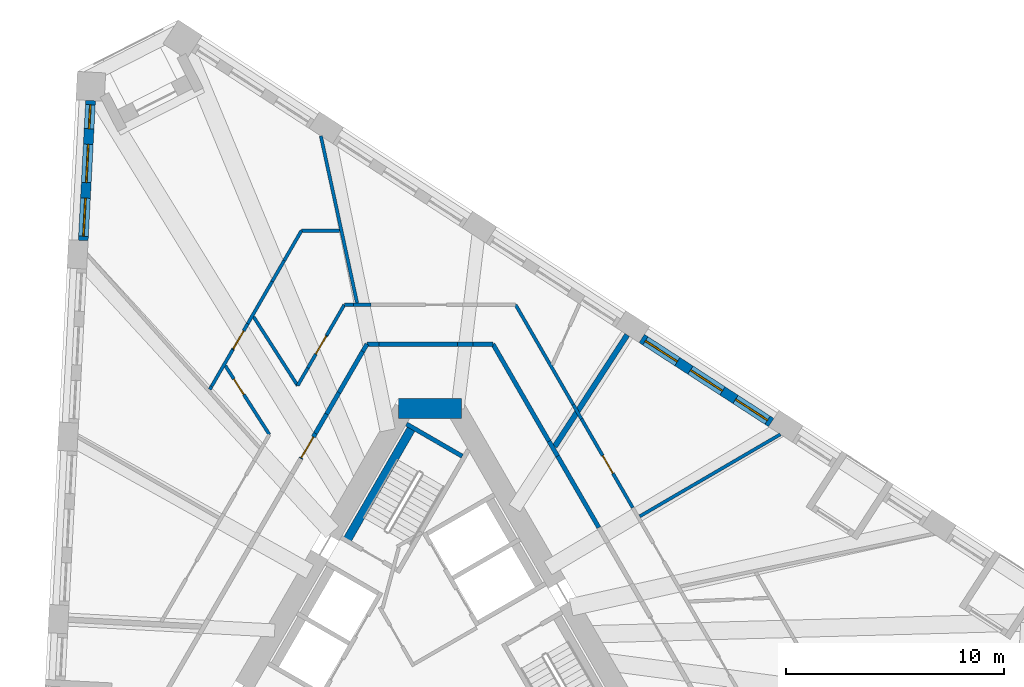
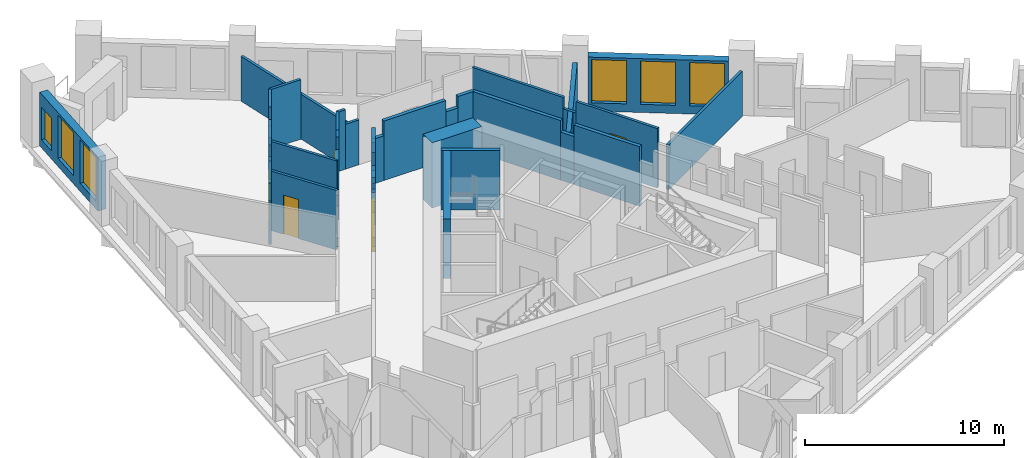
# One storey, part 7 of 12: 37 walls, 6 windows, 5 doors, 11 openings.
"""IFC4 building model written with IfcOpenShell, lengths in metres."""

from ifc_helpers import new_model, si_unit, direction, frame, frame_2d, origin, place, context, subcontext, project, spatial, polyline, rectangle, outline, extrude, material, layer, layer_set, type_object, element, fill, save


model = new_model("IFC4")

# Units and contexts
model_context = context("Model", 3, precision=1e-05, world=origin(), true_north=direction((0.0, 1.0)))
body_context = subcontext(model_context, "Body", "Model", "MODEL_VIEW")
ifc_project = project(units=[si_unit("LENGTHUNIT", "METRE"), si_unit("AREAUNIT", "SQUARE_METRE"), si_unit("VOLUMEUNIT", "CUBIC_METRE"), si_unit("PLANEANGLEUNIT", "RADIAN"), si_unit("MASSUNIT", "GRAM", prefix="KILO")], contexts=[model_context])

# Site, building, storey
site_placement = place(None, origin())
site = spatial("IfcSite", under=ifc_project, at=site_placement, CompositionType="ELEMENT")
building_placement = place(site_placement, origin())
building = spatial("IfcBuilding", under=site, at=building_placement, Name="Tramontana Tower", CompositionType="ELEMENT")
storey_placement = place(building_placement, frame((0.0, 0.0, 133.60009765625)))
storey = spatial("IfcBuildingStorey", under=building, at=storey_placement, Name="L30", CompositionType="ELEMENT", Elevation=133.60009765625)

# Walls
ifc_material_1 = material(Name="Concrete 70 MPa", Category="concrete")
ifc_layer_1 = layer(ifc_material_1, 0.89990234375)
ifc_layer_set_1 = layer_set([ifc_layer_1], Name="Core wall 900 70 MPa")
wall_type_1 = type_object("IfcWallType", Name="Core wall 900 70 MPa", PredefinedType="SHEAR", material=ifc_layer_set_1)
wall_1_placement = place(storey_placement, frame((1.443359375, 10.550048828125, 0.0), z_axis=(0.0, 0.0, 1.0), x_axis=(-1.0, 0.0, 0.0)))
element("IfcWall", 1, at=wall_1_placement, inside=storey, type_object=wall_type_1, Name="Core wall C0 L30", PredefinedType="SHEAR", context=body_context, shape_type="SweptSolid", body=[
    extrude(rectangle(XDim=2.88671875, YDim=0.89990234375, at=frame_2d((1.443359375, 0.0))), origin(), (0.0, 0.0, 1.0), 4.0),
])
ifc_material_2 = material(Name="Blockwork", Category="masonry")
ifc_layer_2 = layer(ifc_material_2, 0.199951171875)
ifc_layer_set_2 = layer_set([ifc_layer_2], Name="ENTRY WALL 200")
wall_type_2 = type_object("IfcWallType", Name="ENTRY WALL 200", PredefinedType="SOLIDWALL", material=ifc_layer_set_2)
wall_2_placement = place(storey_placement, frame((2.88671875, 13.5, 0.0), z_axis=(0.0, 0.0, 1.0), x_axis=(0.50000466804, -0.866022708674, 0.0)))
element("IfcWall", 2, at=wall_2_placement, inside=storey, type_object=wall_type_2, Name="Wall v30-ew0-0", PredefinedType="SOLIDWALL", context=body_context, shape_type="SweptSolid", body=[
    extrude(rectangle(XDim=5.14208984375, YDim=0.199951171875, at=frame_2d((2.571044921875, 0.0))), origin(), (0.0, 0.0, 1.0), 3.64990234375),
])
wall_3_placement = place(storey_placement, frame((5.457763671875, 9.046875, 0.0), z_axis=(0.0, 0.0, 1.0), x_axis=(0.499982474044, -0.866035522163, 0.0)))
element("IfcWall", 3, at=wall_3_placement, inside=storey, type_object=wall_type_2, Name="Wall v30-ew0-1", PredefinedType="SOLIDWALL", context=body_context, shape_type="SweptSolid", body=[
    extrude(rectangle(XDim=0.78564453125, YDim=0.199951171875, at=frame_2d((0.392822265625, 0.0))), origin(), (0.0, 0.0, 1.0), 2.949951171875),
])
wall_4_placement = place(storey_placement, frame((5.8505859375, 8.366455078125, 0.0), z_axis=(0.0, 0.0, 1.0), x_axis=(0.499998034377, -0.866026538634, 0.0)))
element("IfcWall", 4, at=wall_4_placement, inside=storey, type_object=wall_type_2, Name="Wall v30-ew0-2", PredefinedType="SOLIDWALL", context=body_context, shape_type="SweptSolid", body=[
    extrude(rectangle(XDim=3.783203125, YDim=0.199951171875, at=frame_2d((1.8916015625, 0.0))), origin(), (0.0, 0.0, 1.0), 3.64990234375),
])

# Wall, opening, door
wall_5_placement = place(storey_placement, frame((-5.91796875, 8.249755859375, 0.0), z_axis=(0.0, 0.0, 1.0), x_axis=(0.500028081597, 0.86600919026, 0.0)))
wall_5 = element("IfcWall", 5, at=wall_5_placement, inside=storey, type_object=wall_type_2, Name="Wall v30-ew4-7", PredefinedType="SOLIDWALL", context=body_context, shape_type="SweptSolid", body=[
    extrude(outline(polyline([(0.0, 0.0), (1.3369140625, 0.0), (1.336669921875, 2.5498046875), (0.313232421875, 2.5498046875), (0.313232421875, 3.64990234375), (0.0, 3.64990234375), (0.0, 0.0)])), frame((0.0, 0.10009765625, 0.0), z_axis=(0.0, -1.0, 0.0), x_axis=(1.0, 0.0, 0.0)), (0.0, 0.0, 1.0), 0.199951171875),
])
opening_1_placement = place(wall_5_placement, frame((0.050048828125, 0.0, 0.0)))
opening_1 = element("IfcOpeningElement", 6, at=opening_1_placement, cuts=wall_5, Name="Opening B3A-22", PredefinedType="OPENING", context=body_context, shape_type="SweptSolid", body=[
    extrude(rectangle(XDim=1.10009765625, YDim=2.39990234375, at=frame_2d((0.550048828125, 1.199951171875))), frame((0.0, 0.10986328125, 0.0), z_axis=(0.0, -1.0, 0.0), x_axis=(1.0, 0.0, 0.0)), (0.0, 0.0, 1.0), 0.219970703125),
])
ifc_material_3 = material(Name="Painted timber", Category="wood")
door_type_1 = type_object("IfcDoorType", Name="DOOR ENTRY 1100", OperationType="SINGLE_SWING_LEFT", PredefinedType="DOOR", material=ifc_material_3)
door_1_placement = place(opening_1_placement, origin())
door_1 = element("IfcDoor", 7, at=door_1_placement, inside=storey, type_object=door_type_1, Name="Door B3A-22", OperationType="SINGLE_SWING_RIGHT", OverallHeight=2.39990234375, OverallWidth=1.10009765625, PredefinedType="DOOR", context=body_context, shape_type="SweptSolid", body=[
    extrude(rectangle(XDim=1.10009765625, YDim=2.39990234375, at=frame_2d((0.550048828125, 1.199951171875))), frame((0.0, 0.02490234375, 0.0), z_axis=(0.0, -1.0, 0.0), x_axis=(1.0, 0.0, 0.0)), (0.0, 0.0, 1.0), 0.050048828125),
])
fill(opening_1, door_1)

# Walls
wall_6_placement = place(storey_placement, frame((-5.24951171875, 9.407470703125, 0.0), z_axis=(0.0, 0.0, 1.0), x_axis=(0.499991148707, 0.866030514021, 0.0)))
element("IfcWall", 8, at=wall_6_placement, inside=storey, type_object=wall_type_2, Name="Wall v30-ew4-8", PredefinedType="SOLIDWALL", context=body_context, shape_type="SweptSolid", body=[
    extrude(rectangle(XDim=1.0224609375, YDim=0.199951171875, at=frame_2d((0.51123046875, 0.0))), origin(), (0.0, 0.0, 1.0), 3.64990234375),
])
wall_7_placement = place(storey_placement, frame((-4.73828125, 10.29296875, 0.0), z_axis=(0.0, 0.0, 1.0), x_axis=(0.500001688065, 0.866024429177, 0.0)))
element("IfcWall", 9, at=wall_7_placement, inside=storey, type_object=wall_type_2, Name="Wall v30-ew4-9", PredefinedType="SOLIDWALL", context=body_context, shape_type="SweptSolid", body=[
    extrude(rectangle(XDim=1.13525390625, YDim=0.199951171875, at=frame_2d((0.567626953125, 0.0))), origin(), (0.0, 0.0, 1.0), 2.5498046875),
])
wall_8_placement = place(storey_placement, frame((-4.170654296875, 11.276123046875, 0.0), z_axis=(0.0, 0.0, 1.0), x_axis=(0.50001992892, 0.866013897511, 0.0)))
element("IfcWall", 10, at=wall_8_placement, inside=storey, type_object=wall_type_2, Name="Wall v30-ew4-10", PredefinedType="SOLIDWALL", context=body_context, shape_type="SweptSolid", body=[
    extrude(rectangle(XDim=2.1787109375, YDim=0.199951171875, at=frame_2d((1.08935546875, 0.0))), origin(), (0.0, 0.0, 1.0), 3.64990234375),
])
wall_9_placement = place(storey_placement, frame((-3.081298828125, 13.162841796875, 0.0), z_axis=(0.0, 0.0, 1.0), x_axis=(0.499849133735, 0.866112488944, 0.0)))
element("IfcWall", 11, at=wall_9_placement, inside=storey, type_object=wall_type_2, Name="Wall v30-ew4-11", PredefinedType="SOLIDWALL", context=body_context, shape_type="SweptSolid", body=[
    extrude(rectangle(XDim=0.38916015625, YDim=0.199951171875, at=frame_2d((0.194580078125, 0.0))), origin(), (0.0, 0.0, 1.0), 2.75),
])
wall_10_placement = place(storey_placement, frame((-2.88671875, 13.5, 0.0), z_axis=(0.0, 0.0, 1.0), x_axis=(1.0, 0.0, 0.0)))
element("IfcWall", 12, at=wall_10_placement, inside=storey, type_object=wall_type_2, Name="Wall v30-ew5-0", PredefinedType="SOLIDWALL", context=body_context, shape_type="SweptSolid", body=[
    extrude(rectangle(XDim=0.55322265625, YDim=0.199951171875, at=frame_2d((0.276611328125, 0.0))), origin(), (0.0, 0.0, 1.0), 2.75),
])
wall_11_placement = place(storey_placement, frame((-2.33349609375, 13.5, 0.0), z_axis=(0.0, 0.0, 1.0), x_axis=(1.0, 0.0, 0.0)))
element("IfcWall", 13, at=wall_11_placement, inside=storey, type_object=wall_type_2, Name="Wall v30-ew5-1", PredefinedType="SOLIDWALL", context=body_context, shape_type="SweptSolid", body=[
    extrude(rectangle(XDim=3.6025390625, YDim=0.199951171875, at=frame_2d((1.80126953125, 0.0))), origin(), (0.0, 0.0, 1.0), 3.64990234375),
])
wall_12_placement = place(storey_placement, frame((1.26904296875, 13.5, 0.0), z_axis=(0.0, 0.0, 1.0), x_axis=(1.0, 0.0, 0.0)))
element("IfcWall", 14, at=wall_12_placement, inside=storey, type_object=wall_type_2, Name="Wall v30-ew5-2", PredefinedType="SOLIDWALL", context=body_context, shape_type="SweptSolid", body=[
    extrude(rectangle(XDim=0.704833984375, YDim=0.199951171875, at=frame_2d((0.3525390625, 0.0))), origin(), (0.0, 0.0, 1.0), 2.949951171875),
])
wall_13_placement = place(storey_placement, frame((1.973876953125, 13.5, 0.0), z_axis=(0.0, 0.0, 1.0), x_axis=(1.0, 0.0, 0.0)))
element("IfcWall", 15, at=wall_13_placement, inside=storey, type_object=wall_type_2, Name="Wall v30-ew5-3", PredefinedType="SOLIDWALL", context=body_context, shape_type="SweptSolid", body=[
    extrude(rectangle(XDim=0.912841796875, YDim=0.199951171875, at=frame_2d((0.45654296875, 0.0))), origin(), (0.0, 0.0, 1.0), 3.64990234375),
])

# Wall, openings, windows
ifc_material_4 = material(Name="Precast concrete 60 MPa", Category="concrete")
ifc_layer_3 = layer(ifc_material_4, 0.449951171875)
ifc_layer_set_3 = layer_set([ifc_layer_3], Name="Precast concrete 60 MPa, 450 mm")
wall_type_3 = type_object("IfcWallType", Name="EW1 Stone-faced precast wall 450", PredefinedType="SOLIDWALL", material=ifc_layer_set_3)
wall_14_placement = place(storey_placement, frame((-15.5556640625, 24.66259765625, 0.0), z_axis=(0.0, 0.0, 1.0), x_axis=(-0.052313391961, -0.998630717043, 0.0)))
wall_14 = element("IfcWall", 16, at=wall_14_placement, inside=storey, type_object=wall_type_3, Name="External wall L30 face 0 bay 1", PredefinedType="SOLIDWALL", context=body_context, shape_type="SweptSolid", body=[
    extrude(rectangle(XDim=6.421630859375, YDim=0.449951171875, at=frame_2d((3.2109375, 0.0))), origin(), (0.0, 0.0, 1.0), 3.2998046875),
])
opening_2_placement = place(wall_14_placement, frame((0.1953125, 0.0, 0.5)))
opening_2 = element("IfcOpeningElement", 17, at=opening_2_placement, cuts=wall_14, Name="Opening N2L", PredefinedType="OPENING", context=body_context, shape_type="SweptSolid", body=[
    extrude(rectangle(XDim=1.10009765625, YDim=2.0, at=frame_2d((0.550048828125, 1.0))), frame((0.0, 0.23486328125, 0.0), z_axis=(0.0, -1.0, 0.0), x_axis=(1.0, 0.0, 0.0)), (0.0, 0.0, 1.0), 0.469970703125),
])
opening_3_placement = place(wall_14_placement, frame((2.0107421875, 0.0, 0.5)))
opening_3 = element("IfcOpeningElement", 18, at=opening_3_placement, cuts=wall_14, Name="Opening M2", PredefinedType="OPENING", context=body_context, shape_type="SweptSolid", body=[
    extrude(rectangle(XDim=1.75, YDim=2.64990234375, at=frame_2d((0.875, 1.324951171875))), frame((0.0, 0.23486328125, 0.0), z_axis=(0.0, -1.0, 0.0), x_axis=(1.0, 0.0, 0.0)), (0.0, 0.0, 1.0), 0.469970703125),
])
opening_4_placement = place(wall_14_placement, frame((4.476318359375, 0.0, 0.5)))
opening_4 = element("IfcOpeningElement", 19, at=opening_4_placement, cuts=wall_14, Name="Opening M2", PredefinedType="OPENING", context=body_context, shape_type="SweptSolid", body=[
    extrude(rectangle(XDim=1.75, YDim=2.64990234375, at=frame_2d((0.875, 1.324951171875))), frame((0.0, 0.23486328125, 0.0), z_axis=(0.0, -1.0, 0.0), x_axis=(1.0, 0.0, 0.0)), (0.0, 0.0, 1.0), 0.469970703125),
])
ifc_material_5 = material(Name="Aluminum frame, double glazing unit", Category="aluminium")
window_type_1 = type_object("IfcWindowType", Name="M2 Window 1.75 x 2.65", PartitioningType="SINGLE_PANEL", PredefinedType="WINDOW", material=ifc_material_5)
window_1_placement = place(opening_3_placement, origin())
window_1 = element("IfcWindow", 20, at=window_1_placement, inside=storey, type_object=window_type_1, Name="Window M2 L30 face 0 module 2", OverallHeight=2.64990234375, OverallWidth=1.75, PartitioningType="SINGLE_PANEL", PredefinedType="WINDOW", context=body_context, shape_type="SweptSolid", body=[
    extrude(rectangle(XDim=1.75, YDim=2.64990234375, at=frame_2d((0.875, 1.324951171875))), frame((0.0, 0.030029296875, 0.0), z_axis=(0.0, -1.0, 0.0), x_axis=(1.0, 0.0, 0.0)), (0.0, 0.0, 1.0), 0.06005859375),
])
fill(opening_3, window_1)
window_2_placement = place(opening_4_placement, origin())
window_2 = element("IfcWindow", 21, at=window_2_placement, inside=storey, type_object=window_type_1, Name="Window M2 L30 face 0 module 3", OverallHeight=2.64990234375, OverallWidth=1.75, PartitioningType="SINGLE_PANEL", PredefinedType="WINDOW", context=body_context, shape_type="SweptSolid", body=[
    extrude(rectangle(XDim=1.75, YDim=2.64990234375, at=frame_2d((0.875, 1.324951171875))), frame((0.0, 0.030029296875, 0.0), z_axis=(0.0, -1.0, 0.0), x_axis=(1.0, 0.0, 0.0)), (0.0, 0.0, 1.0), 0.06005859375),
])
fill(opening_4, window_2)
ifc_material_6 = material(Name="Aluminum frame, double glazing unit", Category="aluminium")
window_type_2 = type_object("IfcWindowType", Name="N2L Window 1.1 x 2", PartitioningType="SINGLE_PANEL", PredefinedType="WINDOW", material=ifc_material_6)
window_3_placement = place(opening_2_placement, origin())
window_3 = element("IfcWindow", 22, at=window_3_placement, inside=storey, type_object=window_type_2, Name="Window N2L L30 face 0 module 1", OverallHeight=2.0, OverallWidth=1.10009765625, PartitioningType="SINGLE_PANEL", PredefinedType="WINDOW", context=body_context, shape_type="SweptSolid", body=[
    extrude(rectangle(XDim=1.10009765625, YDim=2.0, at=frame_2d((0.550048828125, 1.0))), frame((0.0, 0.030029296875, 0.0), z_axis=(0.0, -1.0, 0.0), x_axis=(1.0, 0.0, 0.0)), (0.0, 0.0, 1.0), 0.06005859375),
])
fill(opening_2, window_3)

wall_15_placement = place(storey_placement, frame((15.639404296875, 9.9052734375, 0.0), z_axis=(0.0, 0.0, 1.0), x_axis=(-0.838677021821, 0.54462909679, 0.0)))
wall_15 = element("IfcWall", 23, at=wall_15_placement, inside=storey, type_object=wall_type_3, Name="External wall L30 face 2 bay 3", PredefinedType="SOLIDWALL", context=body_context, shape_type="SweptSolid", body=[
    extrude(rectangle(XDim=7.071533203125, YDim=0.449951171875, at=frame_2d((3.53564453125, 0.0))), origin(), (0.0, 0.0, 1.0), 3.2998046875),
])
opening_5_placement = place(wall_15_placement, frame((0.1953125, 0.0, 0.5)))
opening_5 = element("IfcOpeningElement", 24, at=opening_5_placement, cuts=wall_15, Name="Opening M2", PredefinedType="OPENING", context=body_context, shape_type="SweptSolid", body=[
    extrude(rectangle(XDim=1.75, YDim=2.64990234375, at=frame_2d((0.875, 1.324951171875))), frame((0.0, 0.23486328125, 0.0), z_axis=(0.0, -1.0, 0.0), x_axis=(1.0, 0.0, 0.0)), (0.0, 0.0, 1.0), 0.469970703125),
])
opening_6_placement = place(wall_15_placement, frame((2.660888671875, 0.0, 0.5)))
opening_6 = element("IfcOpeningElement", 25, at=opening_6_placement, cuts=wall_15, Name="Opening M2", PredefinedType="OPENING", context=body_context, shape_type="SweptSolid", body=[
    extrude(rectangle(XDim=1.75, YDim=2.64990234375, at=frame_2d((0.875, 1.324951171875))), frame((0.0, 0.23486328125, 0.0), z_axis=(0.0, -1.0, 0.0), x_axis=(1.0, 0.0, 0.0)), (0.0, 0.0, 1.0), 0.469970703125),
])
opening_7_placement = place(wall_15_placement, frame((5.126220703125, 0.0, 0.5)))
opening_7 = element("IfcOpeningElement", 26, at=opening_7_placement, cuts=wall_15, Name="Opening M2", PredefinedType="OPENING", context=body_context, shape_type="SweptSolid", body=[
    extrude(rectangle(XDim=1.75, YDim=2.64990234375, at=frame_2d((0.875, 1.324951171875))), frame((0.0, 0.23486328125, 0.0), z_axis=(0.0, -1.0, 0.0), x_axis=(1.0, 0.0, 0.0)), (0.0, 0.0, 1.0), 0.469970703125),
])
window_4_placement = place(opening_5_placement, origin())
window_4 = element("IfcWindow", 27, at=window_4_placement, inside=storey, type_object=window_type_1, Name="Window M2 L30 face 2 module 7", OverallHeight=2.64990234375, OverallWidth=1.75, PartitioningType="SINGLE_PANEL", PredefinedType="WINDOW", context=body_context, shape_type="SweptSolid", body=[
    extrude(rectangle(XDim=1.75, YDim=2.64990234375, at=frame_2d((0.875, 1.324951171875))), frame((0.0, 0.030029296875, 0.0), z_axis=(0.0, -1.0, 0.0), x_axis=(1.0, 0.0, 0.0)), (0.0, 0.0, 1.0), 0.06005859375),
])
fill(opening_5, window_4)
window_5_placement = place(opening_6_placement, origin())
window_5 = element("IfcWindow", 28, at=window_5_placement, inside=storey, type_object=window_type_1, Name="Window M2 L30 face 2 module 8", OverallHeight=2.64990234375, OverallWidth=1.75, PartitioningType="SINGLE_PANEL", PredefinedType="WINDOW", context=body_context, shape_type="SweptSolid", body=[
    extrude(rectangle(XDim=1.75, YDim=2.64990234375, at=frame_2d((0.875, 1.324951171875))), frame((0.0, 0.030029296875, 0.0), z_axis=(0.0, -1.0, 0.0), x_axis=(1.0, 0.0, 0.0)), (0.0, 0.0, 1.0), 0.06005859375),
])
fill(opening_6, window_5)
window_6_placement = place(opening_7_placement, origin())
window_6 = element("IfcWindow", 29, at=window_6_placement, inside=storey, type_object=window_type_1, Name="Window M2 L30 face 2 module 9", OverallHeight=2.64990234375, OverallWidth=1.75, PartitioningType="SINGLE_PANEL", PredefinedType="WINDOW", context=body_context, shape_type="SweptSolid", body=[
    extrude(rectangle(XDim=1.75, YDim=2.64990234375, at=frame_2d((0.875, 1.324951171875))), frame((0.0, 0.030029296875, 0.0), z_axis=(0.0, -1.0, 0.0), x_axis=(1.0, 0.0, 0.0)), (0.0, 0.0, 1.0), 0.06005859375),
])
fill(opening_7, window_6)

# Walls
ifc_material_7 = material(Name="Gypsum board partition")
ifc_layer_4 = layer(ifc_material_7, 0.14990234375)
ifc_layer_set_4 = layer_set([ifc_layer_4], Name="PARTITION 150")
wall_type_4 = type_object("IfcWallType", Name="PARTITION 150", PredefinedType="PARTITIONING", material=ifc_layer_set_4)
wall_16_placement = place(storey_placement, frame((-10.0927734375, 11.4189453125, 0.0), z_axis=(0.0, 0.0, 1.0), x_axis=(0.500399834964, 0.865794435861, 0.0)))
element("IfcWall", 30, at=wall_16_placement, inside=storey, type_object=wall_type_4, Name="Wall v30-pw07-0", PredefinedType="PARTITIONING", context=body_context, shape_type="SweptSolid", body=[
    extrude(rectangle(XDim=0.166259765625, YDim=0.14990234375, at=frame_2d((0.0830078125, 0.0))), origin(), (0.0, 0.0, 1.0), 2.5498046875),
])
wall_17_placement = place(storey_placement, frame((-10.009521484375, 11.56298828125, 0.0), z_axis=(0.0, 0.0, 1.0), x_axis=(0.499994660107, 0.866028486751, 0.0)))
element("IfcWall", 31, at=wall_17_placement, inside=storey, type_object=wall_type_4, Name="Wall v30-pw07-1", PredefinedType="PARTITIONING", context=body_context, shape_type="SweptSolid", body=[
    extrude(rectangle(XDim=1.94091796875, YDim=0.14990234375, at=frame_2d((0.970458984375, 0.0))), origin(), (0.0, 0.0, 1.0), 3.64990234375),
])

# Wall, opening, door
wall_18_placement = place(storey_placement, frame((-9.0390625, 13.243896484375, 0.0), z_axis=(0.0, 0.0, 1.0), x_axis=(0.499978698016, 0.866037702141, 0.0)))
wall_18 = element("IfcWall", 32, at=wall_18_placement, inside=storey, type_object=wall_type_4, Name="Wall v30-pw07-2", PredefinedType="PARTITIONING", context=body_context, shape_type="SweptSolid", body=[
    extrude(outline(polyline([(0.0, 0.0), (1.37451171875, 0.0), (1.374755859375, 2.5498046875), (0.379638671875, 2.5498046875), (0.379638671875, 3.64990234375), (0.0, 3.64990234375), (0.0, 0.0)])), frame((0.0, 0.074951171875, 0.0), z_axis=(0.0, -1.0, 0.0), x_axis=(1.0, 0.0, 0.0)), (0.0, 0.0, 1.0), 0.14990234375),
])
opening_8_placement = place(wall_18_placement, frame((0.050048828125, 0.0, 0.0)))
opening_8 = element("IfcOpeningElement", 33, at=opening_8_placement, cuts=wall_18, Name="Opening B3A-03", PredefinedType="OPENING", context=body_context, shape_type="SweptSolid", body=[
    extrude(rectangle(XDim=0.949951171875, YDim=2.39990234375, at=frame_2d((0.47509765625, 1.199951171875))), frame((0.0, 0.0849609375, 0.0), z_axis=(0.0, -1.0, 0.0), x_axis=(1.0, 0.0, 0.0)), (0.0, 0.0, 1.0), 0.169921875),
])
ifc_material_8 = material(Name="Painted timber", Category="wood")
door_type_2 = type_object("IfcDoorType", Name="DOOR ROOM 950", OperationType="SINGLE_SWING_LEFT", PredefinedType="DOOR", material=ifc_material_8)
door_2_placement = place(opening_8_placement, origin())
door_2 = element("IfcDoor", 34, at=door_2_placement, inside=storey, type_object=door_type_2, Name="Door B3A-03", OperationType="SINGLE_SWING_LEFT", OverallHeight=2.39990234375, OverallWidth=0.949951171875, PredefinedType="DOOR", context=body_context, shape_type="SweptSolid", body=[
    extrude(rectangle(XDim=0.949951171875, YDim=2.39990234375, at=frame_2d((0.47509765625, 1.199951171875))), frame((0.0, 0.02490234375, 0.0), z_axis=(0.0, -1.0, 0.0), x_axis=(1.0, 0.0, 0.0)), (0.0, 0.0, 1.0), 0.050048828125),
])
fill(opening_8, door_2)

# Walls
wall_19_placement = place(storey_placement, frame((-8.351806640625, 14.434326171875, 0.0), z_axis=(0.0, 0.0, 1.0), x_axis=(0.500040905051, 0.866001785954, 0.0)))
element("IfcWall", 35, at=wall_19_placement, inside=storey, type_object=wall_type_4, Name="Wall v30-pw07-3", PredefinedType="PARTITIONING", context=body_context, shape_type="SweptSolid", body=[
    extrude(rectangle(XDim=2.234130859375, YDim=0.14990234375, at=frame_2d((1.1171875, 0.0))), origin(), (0.0, 0.0, 1.0), 3.64990234375),
])
wall_20_placement = place(storey_placement, frame((-7.234619140625, 16.369140625, 0.0), z_axis=(0.0, 0.0, 1.0), x_axis=(0.499850094852, 0.866111934265, 0.0)))
element("IfcWall", 36, at=wall_20_placement, inside=storey, type_object=wall_type_4, Name="Wall v30-pw07-4", PredefinedType="PARTITIONING", context=body_context, shape_type="SweptSolid", body=[
    extrude(rectangle(XDim=1.103759765625, YDim=0.14990234375, at=frame_2d((0.5517578125, 0.0))), origin(), (0.0, 0.0, 1.0), 2.5498046875),
])
wall_21_placement = place(storey_placement, frame((-6.682861328125, 17.3251953125, 0.0), z_axis=(0.0, 0.0, 1.0), x_axis=(0.500108487576, 0.865962759392, 0.0)))
element("IfcWall", 37, at=wall_21_placement, inside=storey, type_object=wall_type_4, Name="Wall v30-pw07-5", PredefinedType="PARTITIONING", context=body_context, shape_type="SweptSolid", body=[
    extrude(rectangle(XDim=1.587646484375, YDim=0.14990234375, at=frame_2d((0.7939453125, 0.0))), origin(), (0.0, 0.0, 1.0), 3.64990234375),
])
wall_22_placement = place(storey_placement, frame((-8.083251953125, 14.749267578125, 0.0), z_axis=(0.0, 0.0, 1.0), x_axis=(0.539468172068, -0.842005992452, 0.0)))
element("IfcWall", 38, at=wall_22_placement, inside=storey, type_object=wall_type_4, Name="Wall v30-pw09", PredefinedType="PARTITIONING", context=body_context, shape_type="SweptSolid", body=[
    extrude(rectangle(XDim=3.74365234375, YDim=0.14990234375, at=frame_2d((1.871826171875, 0.0))), origin(), (0.0, 0.0, 1.0), 3.64990234375),
])

# Wall, opening, door
wall_23_placement = place(storey_placement, frame((-7.358642578125, 9.3544921875, 0.0), z_axis=(0.0, 0.0, 1.0), x_axis=(-0.539468172068, 0.842005992452, 0.0)))
wall_23 = element("IfcWall", 39, at=wall_23_placement, inside=storey, type_object=wall_type_4, Name="Wall v30-pw11", PredefinedType="PARTITIONING", context=body_context, shape_type="SweptSolid", body=[
    extrude(rectangle(XDim=3.74365234375, YDim=0.14990234375, at=frame_2d((1.871826171875, 0.0))), origin(), (0.0, 0.0, 1.0), 3.64990234375),
])
opening_9_placement = place(wall_23_placement, frame((2.169921875, 0.0, 0.0)))
opening_9 = element("IfcOpeningElement", 40, at=opening_9_placement, cuts=wall_23, Name="Opening B3A-02", PredefinedType="OPENING", context=body_context, shape_type="SweptSolid", body=[
    extrude(rectangle(XDim=0.85009765625, YDim=2.39990234375, at=frame_2d((0.425048828125, 1.199951171875))), frame((0.0, 0.0849609375, 0.0), z_axis=(0.0, -1.0, 0.0), x_axis=(1.0, 0.0, 0.0)), (0.0, 0.0, 1.0), 0.169921875),
])
ifc_material_9 = material(Name="Painted timber", Category="wood")
door_type_3 = type_object("IfcDoorType", Name="DOOR BATH 850", OperationType="SINGLE_SWING_LEFT", PredefinedType="DOOR", material=ifc_material_9)
door_3_placement = place(opening_9_placement, origin())
door_3 = element("IfcDoor", 41, at=door_3_placement, inside=storey, type_object=door_type_3, Name="Door B3A-02", OperationType="SINGLE_SWING_RIGHT", OverallHeight=2.39990234375, OverallWidth=0.85009765625, PredefinedType="DOOR", context=body_context, shape_type="SweptSolid", body=[
    extrude(rectangle(XDim=0.85009765625, YDim=2.39990234375, at=frame_2d((0.425048828125, 1.199951171875))), frame((0.0, 0.02490234375, 0.0), z_axis=(0.0, -1.0, 0.0), x_axis=(1.0, 0.0, 0.0)), (0.0, 0.0, 1.0), 0.050048828125),
])
fill(opening_9, door_3)

# Wall
wall_24_placement = place(storey_placement, frame((-6.063720703125, 11.59716796875, 0.0), z_axis=(0.0, 0.0, 1.0), x_axis=(0.499797962495, 0.866142018774, 0.0)))
element("IfcWall", 42, at=wall_24_placement, inside=storey, type_object=wall_type_4, Name="Wall v30-pw12-0", PredefinedType="PARTITIONING", context=body_context, shape_type="SweptSolid", body=[
    extrude(rectangle(XDim=0.93310546875, YDim=0.14990234375, at=frame_2d((0.466552734375, 0.0))), origin(), (0.0, 0.0, 1.0), 3.64990234375),
])

# Wall, opening, door
wall_25_placement = place(storey_placement, frame((-5.597412109375, 12.4052734375, 0.0), z_axis=(0.0, 0.0, 1.0), x_axis=(0.500040090343, 0.866002256377, 0.0)))
wall_25 = element("IfcWall", 43, at=wall_25_placement, inside=storey, type_object=wall_type_4, Name="Wall v30-pw12-1", PredefinedType="PARTITIONING", context=body_context, shape_type="SweptSolid", body=[
    extrude(outline(polyline([(0.0, 0.0), (1.729736328125, 0.0), (1.729736328125, 3.64990234375), (1.103759765625, 3.64990234375), (1.103759765625, 2.5498046875), (0.0, 2.5498046875), (0.0, 0.0)])), frame((0.0, 0.074951171875, 0.0), z_axis=(0.0, -1.0, 0.0), x_axis=(1.0, 0.0, 0.0)), (0.0, 0.0, 1.0), 0.14990234375),
])
opening_10_placement = place(wall_25_placement, frame((0.729736328125, 0.0, 0.0)))
opening_10 = element("IfcOpeningElement", 44, at=opening_10_placement, cuts=wall_25, Name="Opening B3A-01", PredefinedType="OPENING", context=body_context, shape_type="SweptSolid", body=[
    extrude(rectangle(XDim=0.949951171875, YDim=2.39990234375, at=frame_2d((0.47509765625, 1.199951171875))), frame((0.0, 0.0849609375, 0.0), z_axis=(0.0, -1.0, 0.0), x_axis=(1.0, 0.0, 0.0)), (0.0, 0.0, 1.0), 0.169921875),
])
door_4_placement = place(opening_10_placement, origin())
door_4 = element("IfcDoor", 45, at=door_4_placement, inside=storey, type_object=door_type_2, Name="Door B3A-01", OperationType="SINGLE_SWING_LEFT", OverallHeight=2.39990234375, OverallWidth=0.949951171875, PredefinedType="DOOR", context=body_context, shape_type="SweptSolid", body=[
    extrude(rectangle(XDim=0.949951171875, YDim=2.39990234375, at=frame_2d((0.47509765625, 1.199951171875))), frame((0.0, 0.02490234375, 0.0), z_axis=(0.0, -1.0, 0.0), x_axis=(1.0, 0.0, 0.0)), (0.0, 0.0, 1.0), 0.050048828125),
])
fill(opening_10, door_4)

# Walls
wall_26_placement = place(storey_placement, frame((-4.732421875, 13.9033203125, 0.0), z_axis=(0.0, 0.0, 1.0), x_axis=(0.499997628298, 0.866026773083, 0.0)))
element("IfcWall", 46, at=wall_26_placement, inside=storey, type_object=wall_type_4, Name="Wall v30-pw12-2", PredefinedType="PARTITIONING", context=body_context, shape_type="SweptSolid", body=[
    extrude(rectangle(XDim=1.61279296875, YDim=0.14990234375, at=frame_2d((0.806396484375, 0.0))), origin(), (0.0, 0.0, 1.0), 3.64990234375),
])
wall_27_placement = place(storey_placement, frame((-5.888916015625, 18.699951171875, 0.0), z_axis=(0.0, 0.0, 1.0), x_axis=(1.0, 0.0, 0.0)))
element("IfcWall", 47, at=wall_27_placement, inside=storey, type_object=wall_type_4, Name="Wall v30-pw13", PredefinedType="PARTITIONING", context=body_context, shape_type="SweptSolid", body=[
    extrude(rectangle(XDim=1.75341796875, YDim=0.14990234375, at=frame_2d((0.876708984375, 0.0))), origin(), (0.0, 0.0, 1.0), 3.64990234375),
])
wall_28_placement = place(storey_placement, frame((-5.0009765625, 23.041015625, 0.0), z_axis=(0.0, 0.0, 1.0), x_axis=(0.212100148987, -0.977247935173, 0.0)))
element("IfcWall", 48, at=wall_28_placement, inside=storey, type_object=wall_type_4, Name="Wall v30-pw14-0", PredefinedType="PARTITIONING", context=body_context, shape_type="SweptSolid", body=[
    extrude(rectangle(XDim=7.844482421875, YDim=0.14990234375, at=frame_2d((3.92236328125, 0.0))), origin(), (0.0, 0.0, 1.0), 2.75),
])
wall_29_placement = place(storey_placement, frame((-3.926025390625, 15.300048828125, 0.0), z_axis=(0.0, 0.0, 1.0), x_axis=(1.0, 0.0, 0.0)))
element("IfcWall", 49, at=wall_29_placement, inside=storey, type_object=wall_type_4, Name="Wall v30-pw17-0", PredefinedType="PARTITIONING", context=body_context, shape_type="SweptSolid", body=[
    extrude(rectangle(XDim=0.42333984375, YDim=0.14990234375, at=frame_2d((0.211669921875, 0.0))), origin(), (0.0, 0.0, 1.0), 3.64990234375),
])
wall_30_placement = place(storey_placement, frame((-3.502685546875, 15.300048828125, 0.0), z_axis=(0.0, 0.0, 1.0), x_axis=(1.0, 0.0, 0.0)))
element("IfcWall", 50, at=wall_30_placement, inside=storey, type_object=wall_type_4, Name="Wall v30-pw17-1", PredefinedType="PARTITIONING", context=body_context, shape_type="SweptSolid", body=[
    extrude(rectangle(XDim=0.791015625, YDim=0.14990234375, at=frame_2d((0.3955078125, 0.0))), origin(), (0.0, 0.0, 1.0), 2.75),
])
wall_31_placement = place(storey_placement, frame((3.926025390625, 15.300048828125, 0.0), z_axis=(0.0, 0.0, 1.0), x_axis=(0.499974706519, -0.86604000649, 0.0)))
element("IfcWall", 51, at=wall_31_placement, inside=storey, type_object=wall_type_4, Name="Wall v30-pw20-0", PredefinedType="PARTITIONING", context=body_context, shape_type="SweptSolid", body=[
    extrude(rectangle(XDim=5.278076171875, YDim=0.14990234375, at=frame_2d((2.63916015625, 0.0))), origin(), (0.0, 0.0, 1.0), 3.64990234375),
])
wall_32_placement = place(storey_placement, frame((6.56494140625, 10.72900390625, 0.0), z_axis=(0.0, 0.0, 1.0), x_axis=(0.500159472144, -0.86593331292, 0.0)))
element("IfcWall", 52, at=wall_32_placement, inside=storey, type_object=wall_type_4, Name="Wall v30-pw20-1", PredefinedType="PARTITIONING", context=body_context, shape_type="SweptSolid", body=[
    extrude(rectangle(XDim=0.757568359375, YDim=0.14990234375, at=frame_2d((0.37890625, 0.0))), origin(), (0.0, 0.0, 1.0), 2.949951171875),
])

# Wall, opening, door
wall_33_placement = place(storey_placement, frame((6.94384765625, 10.072998046875, 0.0), z_axis=(0.0, 0.0, 1.0), x_axis=(0.499993726502, -0.86602902576, 0.0)))
wall_33 = element("IfcWall", 53, at=wall_33_placement, inside=storey, type_object=wall_type_4, Name="Wall v30-pw20-2", PredefinedType="PARTITIONING", context=body_context, shape_type="SweptSolid", body=[
    extrude(rectangle(XDim=4.7001953125, YDim=0.14990234375, at=frame_2d((2.35009765625, 0.0))), origin(), (0.0, 0.0, 1.0), 3.64990234375),
])
opening_11_placement = place(wall_33_placement, frame((1.93994140625, 0.0, 0.0)))
opening_11 = element("IfcOpeningElement", 54, at=opening_11_placement, cuts=wall_33, Name="Opening B3A-16", PredefinedType="OPENING", context=body_context, shape_type="SweptSolid", body=[
    extrude(rectangle(XDim=0.949951171875, YDim=2.39990234375, at=frame_2d((0.47509765625, 1.199951171875))), frame((0.0, 0.0849609375, 0.0), z_axis=(0.0, -1.0, 0.0), x_axis=(1.0, 0.0, 0.0)), (0.0, 0.0, 1.0), 0.169921875),
])
door_5_placement = place(opening_11_placement, origin())
door_5 = element("IfcDoor", 55, at=door_5_placement, inside=storey, type_object=door_type_2, Name="Door B3A-16", OperationType="SINGLE_SWING_RIGHT", OverallHeight=2.39990234375, OverallWidth=0.949951171875, PredefinedType="DOOR", context=body_context, shape_type="SweptSolid", body=[
    extrude(rectangle(XDim=0.949951171875, YDim=2.39990234375, at=frame_2d((0.47509765625, 1.199951171875))), frame((0.0, 0.02490234375, 0.0), z_axis=(0.0, -1.0, 0.0), x_axis=(1.0, 0.0, 0.0)), (0.0, 0.0, 1.0), 0.050048828125),
])
fill(opening_11, door_5)

# Walls
wall_34_placement = place(storey_placement, frame((9.611572265625, 5.6025390625, 0.0), z_axis=(0.0, 0.0, 1.0), x_axis=(0.863953189991, 0.503572125425, 0.0)))
element("IfcWall", 56, at=wall_34_placement, inside=storey, type_object=wall_type_4, Name="Wall v30-pw26-0", PredefinedType="PARTITIONING", context=body_context, shape_type="SweptSolid", body=[
    extrude(rectangle(XDim=7.46630859375, YDim=0.14990234375, at=frame_2d((3.733154296875, 0.0))), origin(), (0.0, 0.0, 1.0), 2.75),
])
ifc_material_10 = material(Name="Blockwork", Category="masonry")
ifc_layer_5 = layer(ifc_material_10, 0.25)
ifc_layer_set_5 = layer_set([ifc_layer_5], Name="PARTY WALL 250")
wall_type_5 = type_object("IfcWallType", Name="PARTY WALL 250", PredefinedType="SOLIDWALL", material=ifc_layer_set_5)
wall_35_placement = place(storey_placement, frame((9.041015625, 13.921875, 0.0), z_axis=(0.0, 0.0, 1.0), x_axis=(-0.544639775338, -0.838670087174, 0.0)))
element("IfcWall", 57, at=wall_35_placement, inside=storey, type_object=wall_type_5, Name="Wall v30-pw25-0", PredefinedType="SOLIDWALL", context=body_context, shape_type="SweptSolid", body=[
    extrude(rectangle(XDim=6.106201171875, YDim=0.25, at=frame_2d((3.05322265625, 0.0))), origin(), (0.0, 0.0, 1.0), 2.949951171875),
])
ifc_material_11 = material(Name="Concrete 70 MPa", Category="concrete")
ifc_layer_6 = layer(ifc_material_11, 0.39990234375)
ifc_layer_set_6 = layer_set([ifc_layer_6], Name="Concrete 70 MPa, 400 mm")
wall_type_6 = type_object("IfcWallType", Name="RC SHAFT BACK WALL 400", PredefinedType="SOLIDWALL", material=ifc_layer_set_6)
wall_36_placement = place(storey_placement, frame((-0.766357421875, 9.7724609375, 0.0), z_axis=(0.0, 0.0, 1.0), x_axis=(-0.500009909098, -0.866019682689, 0.0)))
element("IfcWall", 58, at=wall_36_placement, inside=storey, type_object=wall_type_6, Name="Wall st1-back", PredefinedType="SOLIDWALL", context=body_context, shape_type="SweptSolid", body=[
    extrude(rectangle(XDim=6.199951171875, YDim=0.39990234375, at=frame_2d((3.10009765625, 0.0))), origin(), (0.0, 0.0, 1.0), 3.64990234375),
])
ifc_material_12 = material(Name="Concrete 70 MPa", Category="concrete")
ifc_layer_7 = layer(ifc_material_12, 0.199951171875)
ifc_layer_set_7 = layer_set([ifc_layer_7], Name="Concrete 70 MPa, 200 mm")
wall_type_7 = type_object("IfcWallType", Name="RC STAIR AND SHAFT WALL 200", PredefinedType="SOLIDWALL", material=ifc_layer_set_7)
wall_37_placement = place(storey_placement, frame((1.478515625, 8.36083984375, 0.0), z_axis=(0.0, 0.0, 1.0), x_axis=(-0.866003658127, 0.500037662692, 0.0)))
element("IfcWall", 59, at=wall_37_placement, inside=storey, type_object=wall_type_7, Name="Wall st1-far", PredefinedType="SOLIDWALL", context=body_context, shape_type="SweptSolid", body=[
    extrude(rectangle(XDim=2.949951171875, YDim=0.199951171875, at=frame_2d((1.47509765625, 0.0))), origin(), (0.0, 0.0, 1.0), 3.64990234375),
])

save(model, "model.ifc")
